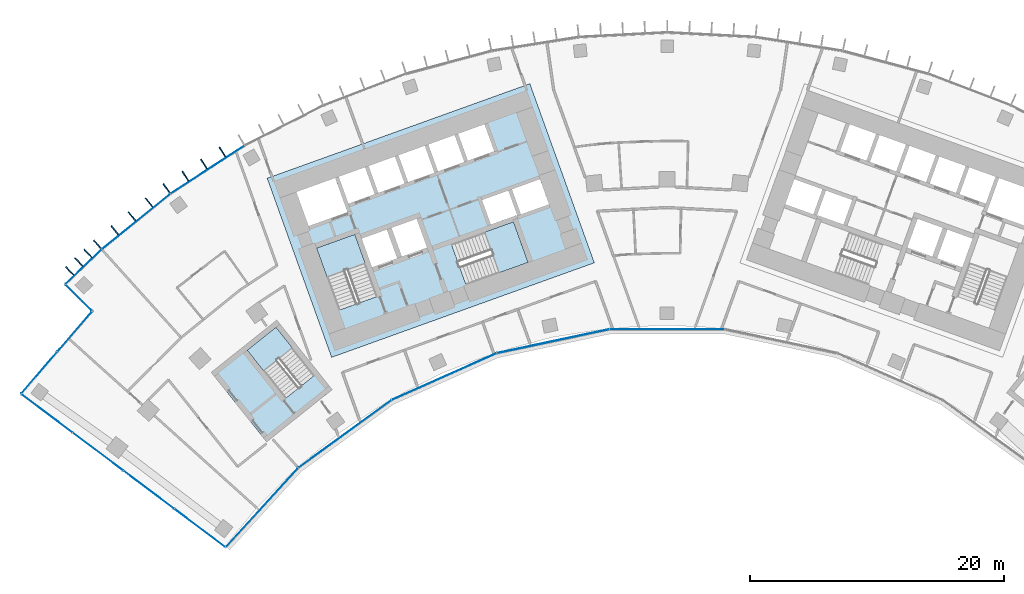
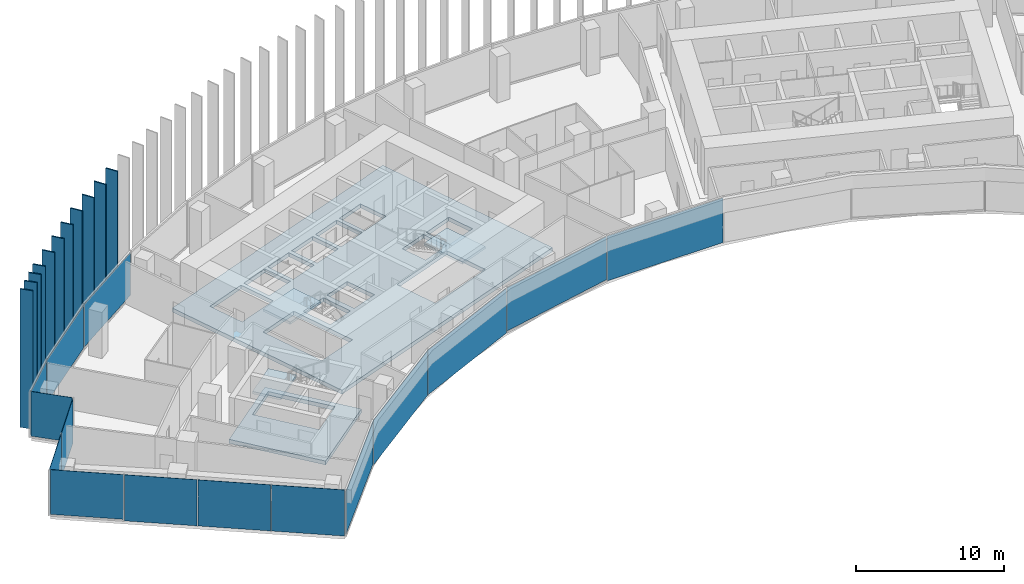
# One storey, part 12 of 23: 26 plates, 5 slabs, 8 elements without a shape of their own.
"""IFC4 building model written with IfcOpenShell, lengths in metres."""

import ifcopenshell
import ifcopenshell.guid

model = None  # the IFC model being written
_history = None  # IfcOwnerHistory: only IFC2X3 demands one
_inside = {}  # id of a spatial element -> (the spatial element, [elements in it])
_under = {}  # id of a project, library or spatial element -> (it, [spatial elements below it])
_declared = {}  # id of a project -> (the project, [libraries it declares])
_typed = {}  # id of a type object -> (the type object, [elements of that type])
_made_of = {}  # id of a material, layer set ... -> (it, [elements and type objects made of it])


def new_model(schema):
    """Start an empty IFC model of exactly this schema.

    Asked for "IFC4X3", IfcOpenShell would pick the latest addendum, in which some entities
    have other attributes; the version numbers below select the first issue.
    IFC2X3 requires an IfcOwnerHistory on every rooted entity: one is made here for all.
    """
    global model, _history
    if schema == "IFC4X3":
        model = ifcopenshell.file(schema_version=(4, 3, 0, 0))
    else:
        model = ifcopenshell.file(schema=schema)
    _inside.clear()
    _under.clear()
    _declared.clear()
    _typed.clear()
    _made_of.clear()
    _history = None
    if model.schema == "IFC2X3":
        org = make("IfcOrganization", Name="unknown")
        user = make(
            "IfcPersonAndOrganization",
            ThePerson=make("IfcPerson", FamilyName="unknown"),
            TheOrganization=org,
        )
        app = make(
            "IfcApplication",
            ApplicationDeveloper=org,
            Version="unknown",
            ApplicationFullName="unknown",
            ApplicationIdentifier="unknown",
        )
        _history = make(
            "IfcOwnerHistory",
            OwningUser=user,
            OwningApplication=app,
            ChangeAction="ADDED",
            CreationDate=0,
        )
    return model


def make(cls, **values):
    """One entity of the class cls with the attributes given. An attribute that is None is left unset."""
    return model.create_entity(
        cls, **{name: value for name, value in values.items() if value is not None}
    )


def rooted(cls, **values):
    """An entity with a GlobalId (a new one), such as an element, a storey or a relation."""
    return make(cls, GlobalId=ifcopenshell.guid.new(), OwnerHistory=_history, **values)


def si_unit(unit_type, name, prefix=None):
    """IfcSIUnit, for example si_unit("LENGTHUNIT", "METRE", prefix="MILLI")."""
    return make("IfcSIUnit", UnitType=unit_type, Prefix=prefix, Name=name)


def assignment(units):
    """IfcUnitAssignment: the units of a project."""
    return None if units is None else make("IfcUnitAssignment", Units=units)


def point(xyz):
    """IfcCartesianPoint."""
    return None if xyz is None else make("IfcCartesianPoint", Coordinates=xyz)


def direction(xyz):
    """IfcDirection."""
    return None if xyz is None else make("IfcDirection", DirectionRatios=xyz)


def frame(location, z_axis=None, x_axis=None):
    """IfcAxis2Placement3D, a coordinate frame: its origin and axes. An axis left out is left unset."""
    return make(
        "IfcAxis2Placement3D",
        Location=point(location),
        Axis=direction(z_axis),
        RefDirection=direction(x_axis),
    )


def frame_2d(location, x_axis=None):
    """IfcAxis2Placement2D, a coordinate frame in the plane: its origin and x axis."""
    return make(
        "IfcAxis2Placement2D", Location=point(location), RefDirection=direction(x_axis)
    )


def origin():
    """The frame at (0, 0, 0) with its axes left unset."""
    return frame((0.0, 0.0, 0.0))


def origin_2d():
    """The frame at (0, 0) in the plane with its x axis left unset."""
    return frame_2d((0.0, 0.0))


def place(relative_to, where):
    """IfcLocalPlacement: puts the frame where relative to a parent placement (None: the world)."""
    return make(
        "IfcLocalPlacement", PlacementRelTo=relative_to, RelativePlacement=where
    )


def context(
    kind, dimensions, precision=None, world=None, true_north=None, identifier=None
):
    """IfcGeometricRepresentationContext, for example the 3D "Model" context."""
    return make(
        "IfcGeometricRepresentationContext",
        ContextIdentifier=identifier,
        ContextType=kind,
        CoordinateSpaceDimension=dimensions,
        Precision=precision,
        WorldCoordinateSystem=world,
        TrueNorth=true_north,
    )


def subcontext(parent, identifier, kind, view, scale=None):
    """IfcGeometricRepresentationSubContext, for example "Body" below "Model"."""
    return make(
        "IfcGeometricRepresentationSubContext",
        ContextIdentifier=identifier,
        ContextType=kind,
        ParentContext=parent,
        TargetScale=scale,
        TargetView=view,
    )


def project(units=None, contexts=None):
    """IfcProject with its units and contexts."""
    return rooted(
        "IfcProject",
        Name="project",
        RepresentationContexts=contexts,
        UnitsInContext=assignment(units),
    )


def spatial(cls, under=None, at=None, **own):
    """A site, building, storey or space (cls), placed at a placement, below another one or the project."""
    s = rooted(cls, ObjectPlacement=at, **own)
    if under is not None:
        _under.setdefault(under.id(), (under, []))[1].append(s)
    return s


def polyline(points):
    """IfcPolyline through the points."""
    return make("IfcPolyline", Points=[point(p) for p in points])


def profile(cls, at=None, kind="AREA", **sizes):
    """A parametric profile (cls). Its sizes go by their IFC names, for example OverallWidth=200.0."""
    return make(cls, ProfileType=kind, Position=at, **sizes)


def rectangle(**sizes):
    """IfcRectangleProfileDef."""
    return profile("IfcRectangleProfileDef", **sizes)


def outline(outer, holes=None, kind="AREA"):
    """IfcArbitraryClosedProfileDef: a profile drawn as a closed curve; with holes, ...WithVoids."""
    if holes is None:
        return make("IfcArbitraryClosedProfileDef", ProfileType=kind, OuterCurve=outer)
    return make(
        "IfcArbitraryProfileDefWithVoids",
        ProfileType=kind,
        OuterCurve=outer,
        InnerCurves=holes,
    )


def extrude(swept, where, along, depth):
    """IfcExtrudedAreaSolid: the profile swept, set in the frame where, extruded along a direction by depth."""
    return make(
        "IfcExtrudedAreaSolid",
        SweptArea=swept,
        Position=where,
        ExtrudedDirection=direction(along),
        Depth=depth,
    )


def shape(context_of_items, identifier, shape_type, items):
    """IfcShapeRepresentation: the items that make up one representation, for example the "Body"."""
    return make(
        "IfcShapeRepresentation",
        ContextOfItems=context_of_items,
        RepresentationIdentifier=identifier,
        RepresentationType=shape_type,
        Items=items,
    )


def material(Name=None, Category=None):
    """IfcMaterial."""
    return make("IfcMaterial", Name=Name, Category=Category)


def layer(
    of_material, thickness, ventilated=None, Name=None, Category=None, Priority=None
):
    """IfcMaterialLayer: one layer of a wall or slab, of a material (None: an air gap)."""
    return make(
        "IfcMaterialLayer",
        Material=of_material,
        LayerThickness=thickness,
        IsVentilated=ventilated,
        Name=Name,
        Category=Category,
        Priority=Priority,
    )


def layer_set(layers, Name=None):
    """IfcMaterialLayerSet."""
    return make("IfcMaterialLayerSet", MaterialLayers=layers, LayerSetName=Name)


def made_of(thing, what):
    """Note that an element or type object is made of a material, layer set ...; save() writes the relation."""
    if what is not None:
        _made_of.setdefault(what.id(), (what, []))[1].append(thing)
    return thing


def type_object(cls, material=None, **own):
    """A type object (cls), such as IfcWallType, which elements share."""
    return made_of(rooted(cls, **own), material)


def element(
    cls,
    number,
    at=None,
    inside=None,
    cuts=None,
    type_object=None,
    material=None,
    context=None,
    identifier="Body",
    shape_type=None,
    held_by="IfcProductDefinitionShape",
    body=None,
    shapes=None,
    **own,
):
    """One element of the class cls, such as IfcWall. Its Tag is "e" and its number.

    at: its placement. inside: the storey or other place that contains it. cuts: it is an
    opening in that element (IfcRelVoidsElement). A single representation is given by context,
    identifier, shape_type and body (its items); several are given by shapes. held_by: the class
    of the entity that holds the representations. save() writes the other relations.
    """
    e = rooted(cls, Tag="e%d" % number, ObjectPlacement=at, **own)
    if body is not None:
        shapes = [shape(context, identifier, shape_type, body)]
    if shapes is not None:
        e.Representation = make(held_by, Representations=shapes)
    if inside is not None:
        _inside.setdefault(inside.id(), (inside, []))[1].append(e)
    if cuts is not None:
        rooted(
            "IfcRelVoidsElement", RelatingBuildingElement=cuts, RelatedOpeningElement=e
        )
    if type_object is not None:
        _typed.setdefault(type_object.id(), (type_object, []))[1].append(e)
    return made_of(e, material)


def aggregate(whole, parts):
    """IfcRelAggregates: a whole, such as a stair, and the parts it consists of."""
    return rooted("IfcRelAggregates", RelatingObject=whole, RelatedObjects=parts)


def save(model, path):
    """Write the relations noted so far, then the file.

    IfcRelAggregates (storeys below a building ...), IfcRelContainedInSpatialStructure (elements
    in a storey), IfcRelDefinesByType, IfcRelAssociatesMaterial and IfcRelDeclares: one each for
    every whole, place, type object, material and project.
    """
    for whole, parts in _under.values():
        aggregate(whole, parts)
    for where, things in _inside.values():
        rooted(
            "IfcRelContainedInSpatialStructure",
            RelatedElements=things,
            RelatingStructure=where,
        )
    for kind, things in _typed.values():
        rooted("IfcRelDefinesByType", RelatedObjects=things, RelatingType=kind)
    for what, things in _made_of.values():
        rooted("IfcRelAssociatesMaterial", RelatedObjects=things, RelatingMaterial=what)
    for by, libraries in _declared.values():
        rooted("IfcRelDeclares", RelatingContext=by, RelatedDefinitions=libraries)
    model.write(path)


model = new_model("IFC4")

# Units and contexts
model_context = context("Model", 3, precision=1e-05, world=origin(), true_north=direction((0.0, 1.0)))
body_context = subcontext(model_context, "Body", "Model", "MODEL_VIEW")
ifc_project = project(units=[si_unit("LENGTHUNIT", "METRE"), si_unit("AREAUNIT", "SQUARE_METRE"), si_unit("VOLUMEUNIT", "CUBIC_METRE"), si_unit("PLANEANGLEUNIT", "RADIAN"), si_unit("MASSUNIT", "GRAM", prefix="KILO")], contexts=[model_context])

# Site, building, storey
site_placement = place(None, origin())
site = spatial("IfcSite", under=ifc_project, at=site_placement, CompositionType="ELEMENT")
building_placement = place(site_placement, origin())
building = spatial("IfcBuilding", under=site, at=building_placement, Name="Stone Belt Terrace Tower", CompositionType="ELEMENT")
storey_placement = place(building_placement, frame((0.0, 0.0, 166.800048828125)))
storey = spatial("IfcBuildingStorey", under=building, at=storey_placement, Name="L40", CompositionType="ELEMENT", Elevation=166.800048828125)

# Curtain wall, plates
ifc_material_1 = material(Name="Aluminium 6063-T6 anodised frame", Category="aluminium")
ifc_layer_1 = layer(ifc_material_1, 0.14990234375)
ifc_layer_set_1 = layer_set([ifc_layer_1], Name="CW-A unitised convex-face curtain wall")
curtain_wall_type_1 = type_object("IfcCurtainWallType", Name="CW-A unitised convex-face curtain wall", PredefinedType="NOTDEFINED", material=ifc_layer_set_1)
curtain_wall_1_placement = place(storey_placement, origin())
curtain_wall_1 = element("IfcCurtainWall", 1, at=curtain_wall_1_placement, inside=storey, type_object=curtain_wall_type_1, Name="CW-A convex face L40", PredefinedType="NOTDEFINED")
ifc_material_2 = material(Name="Clear double glazed unit")
ifc_layer_2 = layer(ifc_material_2, 0.031982421875)
ifc_layer_set_2 = layer_set([ifc_layer_2], Name="CW-A glass panel 32")
plate_type_1 = type_object("IfcPlateType", Name="CW-A glass panel 32", PredefinedType="CURTAIN_PANEL", material=ifc_layer_set_2)
plate_1_placement = place(storey_placement, frame((-36.209716796875, 55.758056640625, 0.139892578125), z_axis=(0.0, 0.0, 1.0), x_axis=(-0.838670567945, -0.544639035015, 0.0)))
plate_1 = element("IfcPlate", 2, at=plate_1_placement, type_object=plate_type_1, Name="CW-A panel 14.1", PredefinedType="CURTAIN_PANEL", context=body_context, shape_type="SweptSolid", body=[
    extrude(rectangle(XDim=6.90087890625, YDim=0.031982421875, at=origin_2d()), origin(), (0.0, 0.0, 1.0), 3.52001953125),
])
plate_2_placement = place(storey_placement, frame((-41.839599609375, 51.667724609375, 0.139892578125), z_axis=(0.0, 0.0, 1.0), x_axis=(-0.777145961457, -0.62932039105, 0.0)))
plate_2 = element("IfcPlate", 3, at=plate_2_placement, type_object=plate_type_1, Name="CW-A panel 15.1", PredefinedType="CURTAIN_PANEL", context=body_context, shape_type="SweptSolid", body=[
    extrude(rectangle(XDim=6.900634765625, YDim=0.031982421875, at=origin_2d()), origin(), (0.0, 0.0, 1.0), 3.52001953125),
])
plate_3_placement = place(storey_placement, frame((-45.9765625, 48.109619140625, 0.139892578125), z_axis=(0.0, 0.0, 1.0), x_axis=(-0.723120883539, -0.690721497993, 0.0)))
plate_3 = element("IfcPlate", 4, at=plate_3_placement, type_object=plate_type_1, Name="CW-A panel 16.1", PredefinedType="CURTAIN_PANEL", context=body_context, shape_type="SweptSolid", body=[
    extrude(rectangle(XDim=3.888671875, YDim=0.031982421875, at=origin_2d()), origin(), (0.0, 0.0, 1.0), 3.52001953125),
])
aggregate(curtain_wall_1, [plate_1, plate_2, plate_3])

ifc_layer_3 = layer(ifc_material_1, 0.14990234375)
ifc_layer_set_3 = layer_set([ifc_layer_3], Name="CW-B unitised concave-face curtain wall")
curtain_wall_type_2 = type_object("IfcCurtainWallType", Name="CW-B unitised concave-face curtain wall", PredefinedType="NOTDEFINED", material=ifc_layer_set_3)
curtain_wall_2_placement = place(storey_placement, origin())
curtain_wall_2 = element("IfcCurtainWall", 5, at=curtain_wall_2_placement, inside=storey, type_object=curtain_wall_type_2, Name="CW-B concave face L40", PredefinedType="NOTDEFINED")
ifc_layer_4 = layer(ifc_material_2, 0.030029296875)
ifc_layer_set_4 = layer_set([ifc_layer_4], Name="CW-B glass panel 30")
plate_type_2 = type_object("IfcPlateType", Name="CW-B glass panel 30", PredefinedType="CURTAIN_PANEL", material=ifc_layer_set_4)
plate_4_placement = place(storey_placement, frame((-31.9111328125, 29.148681640625, 0.119873046875), z_axis=(0.0, 0.0, 1.0), x_axis=(0.674760998748, 0.73803630979, 0.0)))
plate_4 = element("IfcPlate", 6, at=plate_4_placement, type_object=plate_type_2, Name="CW-B panel 1.1", PredefinedType="CURTAIN_PANEL", context=body_context, shape_type="SweptSolid", body=[
    extrude(rectangle(XDim=8.39501953125, YDim=0.030029296875, at=origin_2d()), origin(), (0.0, 0.0, 1.0), 3.56005859375),
])
plate_5_placement = place(storey_placement, frame((-25.384765625, 34.938720703125, 0.0), z_axis=(0.0, 0.0, 1.0), x_axis=(0.809016994375, 0.587785252292, 0.0)))
plate_5 = element("IfcPlate", 7, at=plate_5_placement, type_object=plate_type_2, Name="CW-B panel 2.1", PredefinedType="CURTAIN_PANEL", context=body_context, shape_type="SweptSolid", body=[
    extrude(rectangle(XDim=9.013427734375, YDim=0.030029296875, at=origin_2d()), origin(), (0.0, 0.0, 1.0), 3.679931640625),
])
plate_6_placement = place(storey_placement, frame((-17.565673828125, 39.453125, 0.0), z_axis=(0.0, 0.0, 1.0), x_axis=(0.913545457643, 0.406736643076, 0.0)))
plate_6 = element("IfcPlate", 8, at=plate_6_placement, type_object=plate_type_2, Name="CW-B panel 3.1", PredefinedType="CURTAIN_PANEL", context=body_context, shape_type="SweptSolid", body=[
    extrude(rectangle(XDim=9.0126953125, YDim=0.030029296875, at=origin_2d()), origin(), (0.0, 0.0, 1.0), 3.679931640625),
])
plate_7_placement = place(storey_placement, frame((-8.97900390625, 42.242919921875, 0.119873046875), z_axis=(0.0, 0.0, 1.0), x_axis=(0.978147600734, 0.207911690818, 0.0)))
plate_7 = element("IfcPlate", 9, at=plate_7_placement, type_object=plate_type_2, Name="CW-B panel 4.1", PredefinedType="CURTAIN_PANEL", context=body_context, shape_type="SweptSolid", body=[
    extrude(rectangle(XDim=9.0126953125, YDim=0.030029296875, at=origin_2d()), origin(), (0.0, 0.0, 1.0), 3.56005859375),
])
plate_8_placement = place(storey_placement, frame((0.0, 43.186767578125, 0.0), z_axis=(0.0, 0.0, 1.0), x_axis=(1.0, 0.0, 0.0)))
plate_8 = element("IfcPlate", 10, at=plate_8_placement, type_object=plate_type_2, Name="CW-B panel 5.1", PredefinedType="CURTAIN_PANEL", context=body_context, shape_type="SweptSolid", body=[
    extrude(rectangle(XDim=9.0126953125, YDim=0.030029296875, at=origin_2d()), origin(), (0.0, 0.0, 1.0), 3.679931640625),
])
aggregate(curtain_wall_2, [plate_4, plate_5, plate_6, plate_7, plate_8])

# Curtain wall, plate
ifc_layer_5 = layer(ifc_material_1, 0.14990234375)
ifc_layer_set_5 = layer_set([ifc_layer_5], Name="CW-C stick curtain wall, horn ends and notches")
curtain_wall_type_3 = type_object("IfcCurtainWallType", Name="CW-C stick curtain wall, horn ends and notches", PredefinedType="NOTDEFINED", material=ifc_layer_set_5)
curtain_wall_3_placement = place(storey_placement, origin())
curtain_wall_3 = element("IfcCurtainWall", 11, at=curtain_wall_3_placement, inside=storey, type_object=curtain_wall_type_3, Name="CW-C notch face L40", PredefinedType="NOTDEFINED")
ifc_layer_6 = layer(ifc_material_2, 0.028076171875)
ifc_layer_set_6 = layer_set([ifc_layer_6], Name="CW-C glass panel 28")
plate_type_3 = type_object("IfcPlateType", Name="CW-C glass panel 28", PredefinedType="CURTAIN_PANEL", material=ifc_layer_set_6)
plate_9_placement = place(storey_placement, frame((-46.365966796875, 45.658447265625, 0.1201171875), z_axis=(0.0, 0.0, 1.0), x_axis=(0.711713447851, -0.702469905511, 0.0)))
plate_9 = element("IfcPlate", 12, at=plate_9_placement, type_object=plate_type_3, Name="CW-C panel 1.1", PredefinedType="CURTAIN_PANEL", context=body_context, shape_type="SweptSolid", body=[
    extrude(rectangle(XDim=2.859375, YDim=0.028076171875, at=origin_2d()), origin(), (0.0, 0.0, 1.0), 3.679931640625),
])
aggregate(curtain_wall_3, [plate_9])

# Curtain wall, plates
curtain_wall_4_placement = place(storey_placement, origin())
curtain_wall_4 = element("IfcCurtainWall", 13, at=curtain_wall_4_placement, inside=storey, type_object=curtain_wall_type_3, Name="CW-C notch face L40", PredefinedType="NOTDEFINED")
plate_10_placement = place(storey_placement, frame((-46.68896484375, 42.986572265625, 0.1201171875), z_axis=(0.0, 0.0, 1.0), x_axis=(-0.652737860281, -0.757583847343, 0.0)))
plate_10 = element("IfcPlate", 14, at=plate_10_placement, type_object=plate_type_3, Name="CW-C panel 1.1", PredefinedType="CURTAIN_PANEL", context=body_context, shape_type="SweptSolid", body=[
    extrude(rectangle(XDim=4.12060546875, YDim=0.028076171875, at=origin_2d()), origin(), (0.0, 0.0, 1.0), 3.679931640625),
])
plate_11_placement = place(storey_placement, frame((-49.466064453125, 39.76318359375, 0.0), z_axis=(0.0, 0.0, 1.0), x_axis=(-0.652737860281, -0.757583847343, 0.0)))
plate_11 = element("IfcPlate", 15, at=plate_11_placement, type_object=plate_type_3, Name="CW-C panel 2.1", PredefinedType="CURTAIN_PANEL", context=body_context, shape_type="SweptSolid", body=[
    extrude(rectangle(XDim=4.268798828125, YDim=0.028076171875, at=origin_2d()), origin(), (0.0, 0.0, 1.0), 3.800048828125),
])
aggregate(curtain_wall_4, [plate_10, plate_11])

curtain_wall_5_placement = place(storey_placement, origin())
curtain_wall_5 = element("IfcCurtainWall", 16, at=curtain_wall_5_placement, inside=storey, type_object=curtain_wall_type_3, Name="CW-C end face L40", PredefinedType="NOTDEFINED")
plate_12_placement = place(storey_placement, frame((-48.858154296875, 36.551513671875, 0.1201171875), z_axis=(0.0, 0.0, 1.0), x_axis=(0.799986505357, -0.600017992436, 0.0)))
plate_12 = element("IfcPlate", 17, at=plate_12_placement, type_object=plate_type_3, Name="CW-C panel 1.1", PredefinedType="CURTAIN_PANEL", context=body_context, shape_type="SweptSolid", body=[
    extrude(rectangle(XDim=4.974853515625, YDim=0.028076171875, at=origin_2d()), origin(), (0.0, 0.0, 1.0), 3.679931640625),
])
plate_13_placement = place(storey_placement, frame((-44.84423828125, 33.541015625, 0.0), z_axis=(0.0, 0.0, 1.0), x_axis=(0.799986505357, -0.600017992436, 0.0)))
plate_13 = element("IfcPlate", 18, at=plate_13_placement, type_object=plate_type_3, Name="CW-C panel 2.1", PredefinedType="CURTAIN_PANEL", context=body_context, shape_type="SweptSolid", body=[
    extrude(rectangle(XDim=4.93994140625, YDim=0.028076171875, at=origin_2d()), origin(), (0.0, 0.0, 1.0), 3.800048828125),
])
plate_14_placement = place(storey_placement, frame((-40.84423828125, 30.541015625, 0.0), z_axis=(0.0, 0.0, 1.0), x_axis=(0.799986505357, -0.600017992436, 0.0)))
plate_14 = element("IfcPlate", 19, at=plate_14_placement, type_object=plate_type_3, Name="CW-C panel 3.1", PredefinedType="CURTAIN_PANEL", context=body_context, shape_type="SweptSolid", body=[
    extrude(rectangle(XDim=4.93994140625, YDim=0.028076171875, at=origin_2d()), origin(), (0.0, 0.0, 1.0), 3.800048828125),
])
plate_15_placement = place(storey_placement, frame((-36.834228515625, 27.533203125, 0.0), z_axis=(0.0, 0.0, 1.0), x_axis=(0.799986505357, -0.600017992436, 0.0)))
plate_15 = element("IfcPlate", 20, at=plate_15_placement, type_object=plate_type_3, Name="CW-C panel 4.1", PredefinedType="CURTAIN_PANEL", context=body_context, shape_type="SweptSolid", body=[
    extrude(rectangle(XDim=4.96533203125, YDim=0.028076171875, at=origin_2d()), origin(), (0.0, 0.0, 1.0), 3.800048828125),
])
aggregate(curtain_wall_5, [plate_12, plate_13, plate_14, plate_15])

# Slabs
ifc_material_3 = material(Name="Concrete B40", Category="concrete")
ifc_layer_7 = layer(ifc_material_3, 0.320068359375)
ifc_layer_set_7 = layer_set([ifc_layer_7], Name="Core floor slab 320")
slab_type_1 = type_object("IfcSlabType", Name="Core floor slab 320", PredefinedType="FLOOR", material=ifc_layer_set_7)
slab_1_placement = place(storey_placement, frame((0.0, 0.0, -0.320068359375)))
element("IfcSlab", 21, at=slab_1_placement, inside=storey, type_object=slab_type_1, Name="Core A floor L40", PredefinedType="FLOOR", context=body_context, shape_type="SweptSolid", body=[
    extrude(outline(polyline([(-26.43505859375, 40.968994140625), (-5.735107421875, 48.4189453125), (-10.81396484375, 62.531982421875), (-31.513916015625, 55.0830078125), (-26.43505859375, 40.968994140625)]), holes=[polyline([(-24.60791015625, 50.659912109375), (-22.847900390625, 45.76806640625), (-25.85888671875, 44.68408203125), (-27.618896484375, 49.575927734375), (-24.60791015625, 50.659912109375)]), polyline([(-21.27392578125, 48.778076171875), (-23.25, 48.06689453125), (-24.06298828125, 50.324951171875), (-22.0869140625, 51.035888671875), (-21.27392578125, 48.778076171875)]), polyline([(-18.922119140625, 49.6240234375), (-20.89794921875, 48.9130859375), (-21.7109375, 51.1708984375), (-19.735107421875, 51.883056640625), (-18.922119140625, 49.6240234375)]), polyline([(-28.24609375, 51.31689453125), (-29.2109375, 53.9990234375), (-26.153076171875, 55.09912109375), (-25.18798828125, 52.41796875), (-28.24609375, 51.31689453125)]), polyline([(-23.801025390625, 55.946044921875), (-23.0390625, 53.8291015625), (-25.10888671875, 53.083984375), (-25.87109375, 55.200927734375), (-23.801025390625, 55.946044921875)]), polyline([(-21.447998046875, 56.7919921875), (-20.68603515625, 54.675048828125), (-22.756103515625, 53.929931640625), (-23.51806640625, 56.047119140625), (-21.447998046875, 56.7919921875)]), polyline([(-10.955078125, 48.452880859375), (-15.846923828125, 46.69189453125), (-16.998046875, 49.89208984375), (-12.10595703125, 51.652099609375), (-10.955078125, 48.452880859375)]), polyline([(-11.847900390625, 52.116943359375), (-11.864990234375, 52.1640625), (-13.887939453125, 51.43603515625), (-14.58203125, 53.364990234375), (-12.511962890625, 54.110107421875), (-11.801025390625, 52.134033203125), (-11.847900390625, 52.116943359375)]), polyline([(-9.30810546875, 53.031005859375), (-11.51904296875, 52.235107421875), (-12.22998046875, 54.2109375), (-10.01904296875, 55.007080078125), (-9.30810546875, 53.031005859375)]), polyline([(-21.166015625, 56.89404296875), (-19.095947265625, 57.638916015625), (-18.333984375, 55.52197265625), (-20.404052734375, 54.777099609375), (-21.166015625, 56.89404296875)]), polyline([(-16.743896484375, 58.485107421875), (-15.98193359375, 56.367919921875), (-18.052001953125, 55.623046875), (-18.81396484375, 57.739990234375), (-16.743896484375, 58.485107421875)]), polyline([(-14.39111328125, 59.33203125), (-13.6298828125, 57.215087890625), (-15.699951171875, 56.469970703125), (-16.4609375, 58.5869140625), (-14.39111328125, 59.33203125)])]), origin(), (0.0, 0.0, 1.0), 0.320068359375),
])
slab_2_placement = place(storey_placement, frame((0.0, 0.0, -0.320068359375)))
element("IfcSlab", 22, at=slab_2_placement, inside=storey, type_object=slab_type_1, Name="Exit stair ST3A floor L40", PredefinedType="FLOOR", context=body_context, shape_type="SweptSolid", body=[
    extrude(outline(polyline([(-26.39404296875, 38.425048828125), (-30.756103515625, 43.89990234375), (-35.91796875, 39.787109375), (-31.555908203125, 34.31298828125), (-26.39404296875, 38.425048828125)]), holes=[polyline([(-27.798095703125, 39.544921875), (-30.06591796875, 37.738037109375), (-33.087890625, 41.531005859375), (-30.820068359375, 43.337890625), (-27.798095703125, 39.544921875)])]), origin(), (0.0, 0.0, 1.0), 0.320068359375),
])

# Stair, slab
stair_type = type_object("IfcStairType", Name="Exit stair 1500", PredefinedType="HALF_TURN_STAIR", material=ifc_material_3)
stair_1_placement = place(storey_placement, origin())
stair_1 = element("IfcStair", 23, at=stair_1_placement, inside=storey, type_object=stair_type, Name="L40 Exit stair 1 core A", PredefinedType="HALF_TURN_STAIR")
ifc_layer_8 = layer(ifc_material_3, 0.199951171875)
ifc_layer_set_8 = layer_set([ifc_layer_8], Name="Stair landing 200")
slab_type_2 = type_object("IfcSlabType", Name="Stair landing 200", PredefinedType="LANDING", material=ifc_layer_set_8)
slab_3_placement = place(storey_placement, frame((0.0, 0.0, 1.699951171875)))
slab_3 = element("IfcSlab", 24, at=slab_3_placement, type_object=slab_type_2, Name="ST1A landing 1", PredefinedType="LANDING", context=body_context, shape_type="SweptSolid", body=[
    extrude(outline(polyline([(-23.79541015625, 48.40087890625), (-24.6083984375, 50.659912109375), (-27.619384765625, 49.576171875), (-26.806396484375, 47.3173828125), (-23.79541015625, 48.40087890625)])), origin(), (0.0, 0.0, 1.0), 0.199951171875),
])
aggregate(stair_1, [slab_3])

stair_2_placement = place(storey_placement, origin())
stair_2 = element("IfcStair", 25, at=stair_2_placement, inside=storey, type_object=stair_type, Name="L40 Exit stair 2 core A", PredefinedType="HALF_TURN_STAIR")
slab_4_placement = place(storey_placement, frame((0.0, 0.0, 1.699951171875)))
slab_4 = element("IfcSlab", 26, at=slab_4_placement, type_object=slab_type_2, Name="ST2A landing 1", PredefinedType="LANDING", context=body_context, shape_type="SweptSolid", body=[
    extrude(outline(polyline([(-13.213623046875, 47.64013671875), (-10.95458984375, 48.453125), (-12.10595703125, 51.652099609375), (-14.36474609375, 50.839111328125), (-13.213623046875, 47.64013671875)])), origin(), (0.0, 0.0, 1.0), 0.199951171875),
])
aggregate(stair_2, [slab_4])

stair_3_placement = place(storey_placement, origin())
stair_3 = element("IfcStair", 27, at=stair_3_placement, inside=storey, type_object=stair_type, Name="L40 Exit stair 3A", PredefinedType="HALF_TURN_STAIR")
slab_5_placement = place(storey_placement, frame((0.0, 0.0, 1.699951171875)))
slab_5 = element("IfcSlab", 28, at=slab_5_placement, type_object=slab_type_2, Name="ST3A landing 1", PredefinedType="LANDING", context=body_context, shape_type="SweptSolid", body=[
    extrude(outline(polyline([(-29.541748046875, 41.73388671875), (-30.819580078125, 43.337890625), (-33.087646484375, 41.53076171875), (-31.809814453125, 39.9267578125), (-29.541748046875, 41.73388671875)])), origin(), (0.0, 0.0, 1.0), 0.199951171875),
])
aggregate(stair_3, [slab_5])

# Plates
ifc_material_4 = material(Name="Terracotta coloured glazed ceramic", Category="masonry")
ifc_layer_9 = layer(ifc_material_4, 0.10009765625)
ifc_layer_set_9 = layer_set([ifc_layer_9], Name="Terracotta fin 100 x 900")
plate_type_4 = type_object("IfcPlateType", Name="Terracotta fin 100 x 900", PredefinedType="SHEET", material=ifc_layer_set_9)
for number, where, z_axis, x_axis, name in (
    (29, (-35.03466796875, 57.147216796875, 0.0), (0.0, 0.0, 1.0), (-0.544639035015, 0.838670567945, 0.0), "FIN L40 14.2"),
    (30, (-36.49560546875, 56.1982421875, 0.0), (0.0, 0.0, 1.0), (-0.544639035015, 0.838670567945, 0.0), "FIN L40 14.3"),
    (31, (-37.956787109375, 55.24951171875, 0.0), (0.0, 0.0, 1.0), (-0.544639035015, 0.838670567945, 0.0), "FIN L40 14.4"),
    (32, (-39.4404296875, 54.28515625, 0.0), (0.0, 0.0, 1.0), (-0.587785252292, 0.809016994375, 0.0), "FIN L40 15.1"),
    (33, (-40.81591796875, 53.172119140625, 0.0), (0.0, 0.0, 1.0), (-0.62932039105, 0.777145961457, 0.0), "FIN L40 15.2"),
    (34, (-42.169677734375, 52.075927734375, 0.0), (0.0, 0.0, 1.0), (-0.62932039105, 0.777145961457, 0.0), "FIN L40 15.3"),
    (35, (-43.5234375, 50.979736328125, 0.0), (0.0, 0.0, 1.0), (-0.62932039105, 0.777145961457, 0.0), "FIN L40 15.4"),
    (36, (-44.8935546875, 49.86962890625, 0.0), (0.0, 0.0, 1.0), (-0.660573481499, 0.75076139721, 0.0), "FIN L40 16.1"),
    (37, (-45.6318359375, 49.1650390625, 0.0), (0.0, 0.0, 1.0), (-0.690721497993, 0.723120883539, 0.0), "FIN L40 16.2"),
    (38, (-46.354248046875, 48.474853515625, 0.0), (0.0, 0.0, 1.0), (-0.690721497993, 0.723120883539, 0.0), "FIN L40 16.3"),
    (39, (-47.07666015625, 47.784912109375, 0.0), (0.0, 0.0, 1.0), (-0.690721497993, 0.723120883539, 0.0), "FIN L40 16.4"),
):
    element("IfcPlate", number, at=place(storey_placement, frame(where, z_axis=z_axis, x_axis=x_axis)), inside=storey, type_object=plate_type_4, Name=name, PredefinedType="SHEET", context=body_context, shape_type="SweptSolid", body=[
        extrude(rectangle(XDim=0.89990234375, YDim=0.10009765625, at=origin_2d()), origin(), (0.0, 0.0, 1.0), 11.39990234375),
    ])

save(model, "model.ifc")
